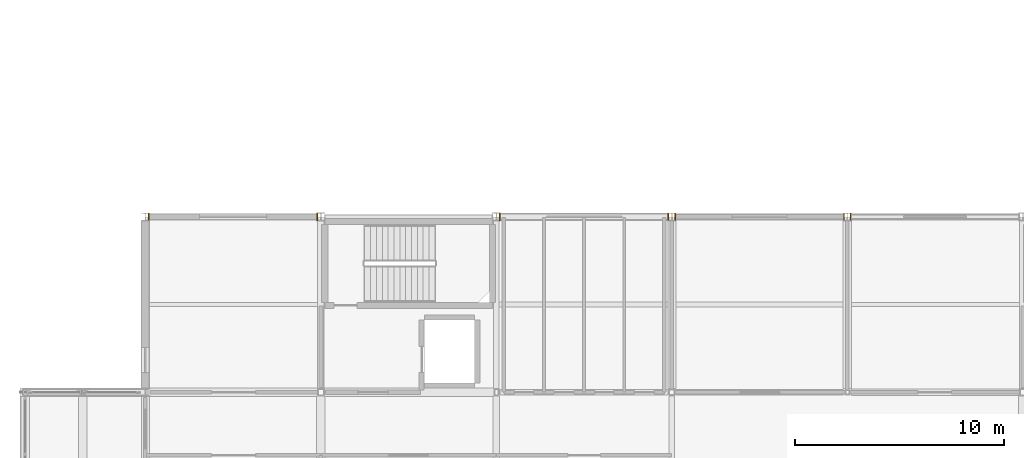
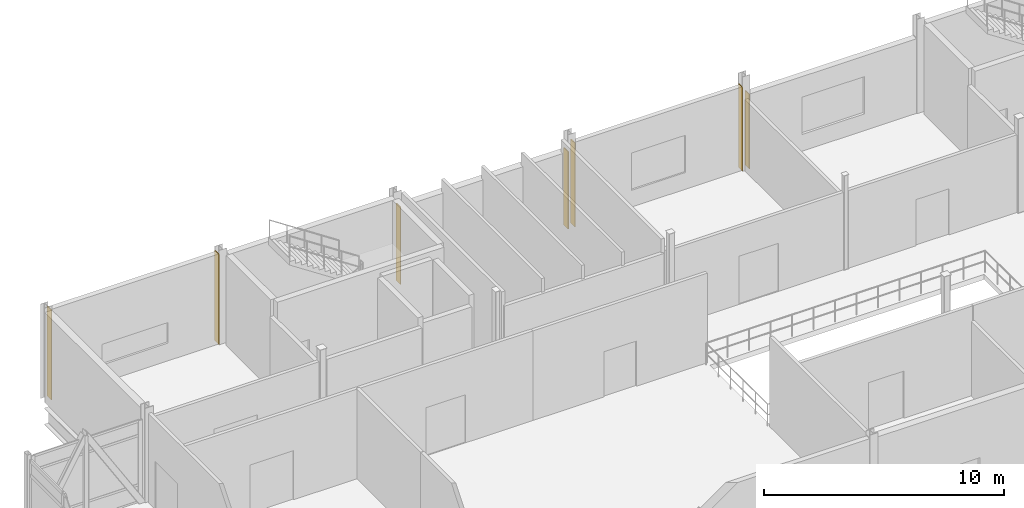
# One storey, part 39 of 45: 7 coverings.
"""IFC4 building model written with IfcOpenShell, lengths in metres."""

from ifc_helpers import new_model, si_unit, direction, frame, origin, place, context, subcontext, project, spatial, polyline, outline, extrude, material, layer, layer_set, type_object, element, save


model = new_model("IFC4")

# Units and contexts
model_context = context("Model", 3, precision=1e-05, world=origin(), true_north=direction((0.0, 1.0)))
body_context = subcontext(model_context, "Body", "Model", "MODEL_VIEW")
ifc_project = project(units=[si_unit("LENGTHUNIT", "METRE"), si_unit("AREAUNIT", "SQUARE_METRE"), si_unit("VOLUMEUNIT", "CUBIC_METRE"), si_unit("PLANEANGLEUNIT", "RADIAN"), si_unit("MASSUNIT", "GRAM", prefix="KILO")], contexts=[model_context])

# Site, building, storey
site_placement = place(None, origin())
site = spatial("IfcSite", under=ifc_project, at=site_placement, CompositionType="ELEMENT")
building_placement = place(site_placement, origin())
building = spatial("IfcBuilding", under=site, at=building_placement, Name="Calvrana Isthmian Art Gallery", CompositionType="ELEMENT")
storey_placement = place(building_placement, frame((0.0, 0.0, 19.800048828125)))
storey = spatial("IfcBuildingStorey", under=building, at=storey_placement, Name="L04", CompositionType="ELEMENT", Elevation=19.800048828125)

# Coverings
ifc_material = material(Name="Polychrome glazed terracotta", Category="masonry")
ifc_layer = layer(ifc_material, 0.0400390625, Name="Polychrome glazed terracotta")
ifc_layer_set = layer_set([ifc_layer], Name="Polychrome glazed terracotta")
covering_type = type_object("IfcCoveringType", Name="COV-CLAD-TERRA", PredefinedType="CLADDING", material=ifc_layer_set)
covering_1_placement = place(storey_placement, origin())
element("IfcCovering", 1, at=covering_1_placement, inside=storey, type_object=covering_type, Name="Column pocket weather closure L04-03-06-W", PredefinedType="CLADDING", context=body_context, shape_type="SweptSolid", body=[
    extrude(outline(polyline([(21.743896484375, 46.626953125), (21.783935546875, 46.626953125), (21.783935546875, 46.972900390625), (21.743896484375, 46.972900390625), (21.743896484375, 46.626953125)])), origin(), (0.0, 0.0, 1.0), 4.579833984375),
])
covering_2_placement = place(storey_placement, origin())
element("IfcCovering", 2, at=covering_2_placement, inside=storey, type_object=covering_type, Name="Column pocket weather closure L04-03-06-E", PredefinedType="CLADDING", context=body_context, shape_type="SweptSolid", body=[
    extrude(outline(polyline([(29.8134765625, 46.618408203125), (29.853515625, 46.618408203125), (29.853515625, 46.9814453125), (29.8134765625, 46.9814453125), (29.8134765625, 46.618408203125)])), origin(), (0.0, 0.0, 1.0), 4.579833984375),
])
covering_3_placement = place(storey_placement, origin())
element("IfcCovering", 3, at=covering_3_placement, inside=storey, type_object=covering_type, Name="Column pocket weather closure L04-05-06-W", PredefinedType="CLADDING", context=body_context, shape_type="SweptSolid", body=[
    extrude(outline(polyline([(38.54638671875, 46.62109375), (38.58642578125, 46.62109375), (38.58642578125, 46.97900390625), (38.54638671875, 46.97900390625), (38.54638671875, 46.62109375)])), origin(), (0.0, 0.0, 1.0), 3.93798828125),
])
covering_4_placement = place(storey_placement, origin())
element("IfcCovering", 4, at=covering_4_placement, inside=storey, type_object=covering_type, Name="Column pocket weather closure L04-05-06-E", PredefinedType="CLADDING", context=body_context, shape_type="SweptSolid", body=[
    extrude(outline(polyline([(46.614501953125, 46.62353515625), (46.654541015625, 46.62353515625), (46.654541015625, 46.9765625), (46.614501953125, 46.9765625), (46.614501953125, 46.62353515625)])), origin(), (0.0, 0.0, 1.0), 3.93798828125),
])
covering_5_placement = place(storey_placement, origin())
element("IfcCovering", 5, at=covering_5_placement, inside=storey, type_object=covering_type, Name="Column pocket weather closure L04-06-06-W", PredefinedType="CLADDING", context=body_context, shape_type="SweptSolid", body=[
    extrude(outline(polyline([(46.945556640625, 46.62353515625), (46.985595703125, 46.62353515625), (46.985595703125, 46.9765625), (46.945556640625, 46.9765625), (46.945556640625, 46.62353515625)])), origin(), (0.0, 0.0, 1.0), 4.255126953125),
])
covering_6_placement = place(storey_placement, origin())
element("IfcCovering", 6, at=covering_6_placement, inside=storey, type_object=covering_type, Name="Column pocket weather closure L04-06-06-E", PredefinedType="CLADDING", context=body_context, shape_type="SweptSolid", body=[
    extrude(outline(polyline([(55.01611328125, 46.626953125), (55.055908203125, 46.626953125), (55.055908203125, 46.972900390625), (55.01611328125, 46.972900390625), (55.01611328125, 46.626953125)])), origin(), (0.0, 0.0, 1.0), 4.255126953125),
])
covering_7_placement = place(storey_placement, origin())
element("IfcCovering", 7, at=covering_7_placement, inside=storey, type_object=covering_type, Name="Column pocket weather closure L04-07-06-W", PredefinedType="CLADDING", context=body_context, shape_type="SweptSolid", body=[
    extrude(outline(polyline([(55.343994140625, 46.626953125), (55.384033203125, 46.626953125), (55.384033203125, 46.972900390625), (55.343994140625, 46.972900390625), (55.343994140625, 46.626953125)])), origin(), (0.0, 0.0, 1.0), 3.7978515625),
])

save(model, "model.ifc")
